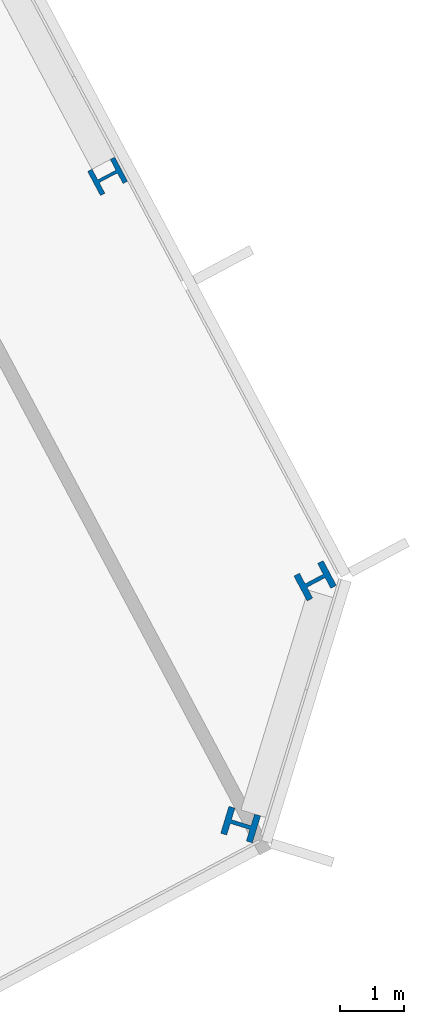
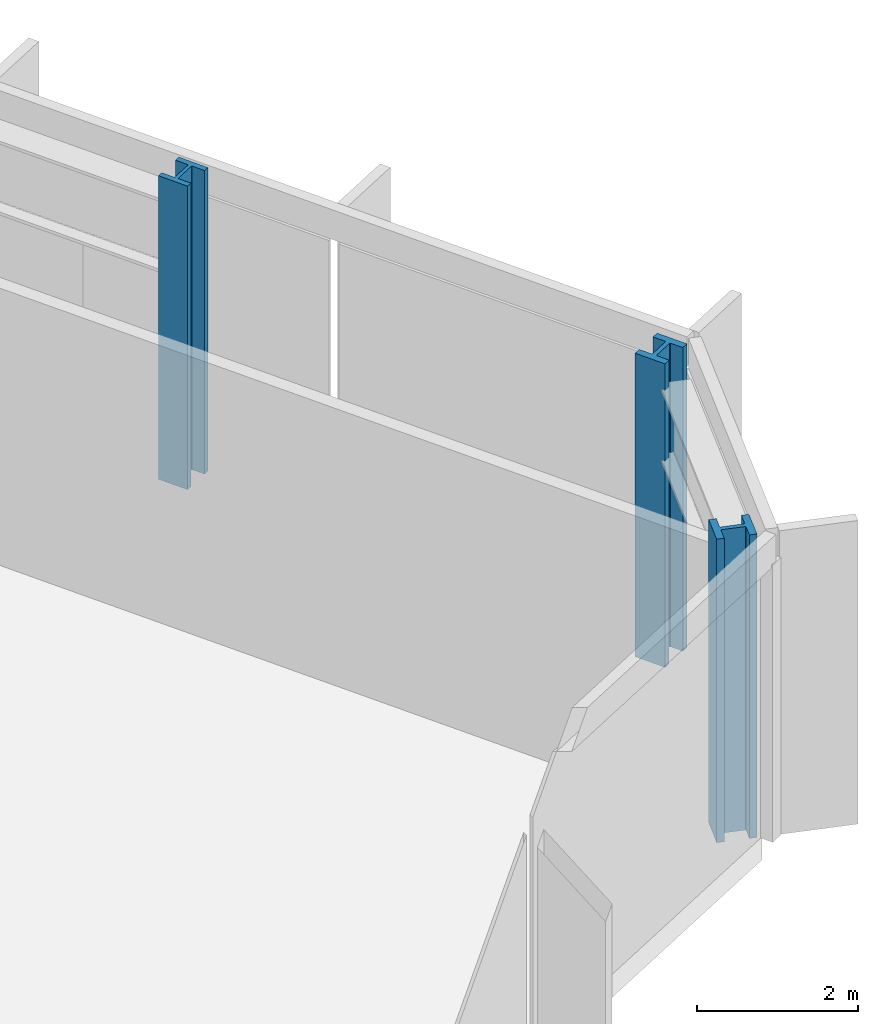
# One storey, part 6 of 30: 3 columns.
"""IFC4 building model written with IfcOpenShell, lengths in metres."""

from ifc_helpers import new_model, si_unit, direction, frame, origin, origin_2d, place, context, subcontext, project, spatial, i_section, extrude, material, material_profile, profile_set, type_object, element, save


model = new_model("IFC4")

# Units and contexts
model_context = context("Model", 3, precision=1e-05, world=origin(), true_north=direction((0.0, 1.0)))
body_context = subcontext(model_context, "Body", "Model", "MODEL_VIEW")
ifc_project = project(units=[si_unit("LENGTHUNIT", "METRE"), si_unit("AREAUNIT", "SQUARE_METRE"), si_unit("VOLUMEUNIT", "CUBIC_METRE"), si_unit("PLANEANGLEUNIT", "RADIAN"), si_unit("MASSUNIT", "GRAM", prefix="KILO")], contexts=[model_context])

# Site, building, storey
site_placement = place(None, origin())
site = spatial("IfcSite", under=ifc_project, at=site_placement, CompositionType="ELEMENT")
building_placement = place(site_placement, origin())
building = spatial("IfcBuilding", under=site, at=building_placement, Name="Cormorant Relay Tower", CompositionType="ELEMENT")
storey_placement = place(building_placement, frame((0.0, 0.0, 84.60009765625)))
storey = spatial("IfcBuildingStorey", under=building, at=storey_placement, Name="L16", CompositionType="ELEMENT", Elevation=84.60009765625)

# Columns
ifc_material_1 = material(Name="Steel ASTM A992 (Fy 345 MPa)", Category="steel")
ifc_material_profile_1 = material_profile(ifc_material_1, i_section(OverallWidth=0.42431640625, OverallDepth=0.47509765625, WebThickness=0.0478515625, FlangeThickness=0.0771484375, FilletRadius=0.014892578125, at=origin_2d()), Name="W360x634")
ifc_profile_set_1 = profile_set([ifc_material_profile_1], Name="Steel ASTM A992 (Fy 345 MPa)")
column_type_1 = type_object("IfcColumnType", Name="Column W360x634", PredefinedType="COLUMN", material=ifc_profile_set_1)
column_placement = place(storey_placement, frame((68.430908203125, 24.153076171875, 0.0), z_axis=(0.0, 0.0, 1.0), x_axis=(-0.469471562786, 0.882947592859, 0.0)))
element("IfcColumn", 1, at=column_placement, inside=storey, type_object=column_type_1, Name="Column L16-033", PredefinedType="COLUMN", context=body_context, shape_type="SweptSolid", body=[
    extrude(i_section(OverallWidth=0.42431640625, OverallDepth=0.47509765625, WebThickness=0.0478515625, FlangeThickness=0.0771484375, FilletRadius=0.014892578125, at=origin_2d()), origin(), (0.0, 0.0, 1.0), 4.599853515625),
])
ifc_material_2 = material(Name="Steel ASTM A992 (Fy 345 MPa)", Category="steel")
ifc_material_profile_2 = material_profile(ifc_material_2, i_section(OverallWidth=0.43701171875, OverallDepth=0.51318359375, WebThickness=0.060546875, FlangeThickness=0.096923828125, FilletRadius=0.015380859375, at=origin_2d()), Name="W360x818")
ifc_profile_set_2 = profile_set([ifc_material_profile_2], Name="Steel ASTM A992 (Fy 345 MPa)")
column_type_2 = type_object("IfcColumnType", Name="Column W360x818", PredefinedType="COLUMN", material=ifc_profile_set_2)
for number, where, z_axis, x_axis, name in (
    (2, (70.4970703125, 14.0869140625, 0.0), (0.0, 0.0, 1.0), (0.292371704723, 0.956304755963, 0.0), "Column L16-026"),
    (3, (71.654052734375, 17.873046875, 0.0), (0.0, 0.0, 1.0), (-0.469471562786, 0.882947592859, 0.0), "Column L16-028"),
):
    element("IfcColumn", number, at=place(storey_placement, frame(where, z_axis=z_axis, x_axis=x_axis)), inside=storey, type_object=column_type_2, Name=name, PredefinedType="COLUMN", context=body_context, shape_type="SweptSolid", body=[
        extrude(i_section(OverallWidth=0.43701171875, OverallDepth=0.51318359375, WebThickness=0.060546875, FlangeThickness=0.096923828125, FilletRadius=0.015380859375, at=origin_2d()), origin(), (0.0, 0.0, 1.0), 4.599853515625),
    ])

save(model, "model.ifc")
